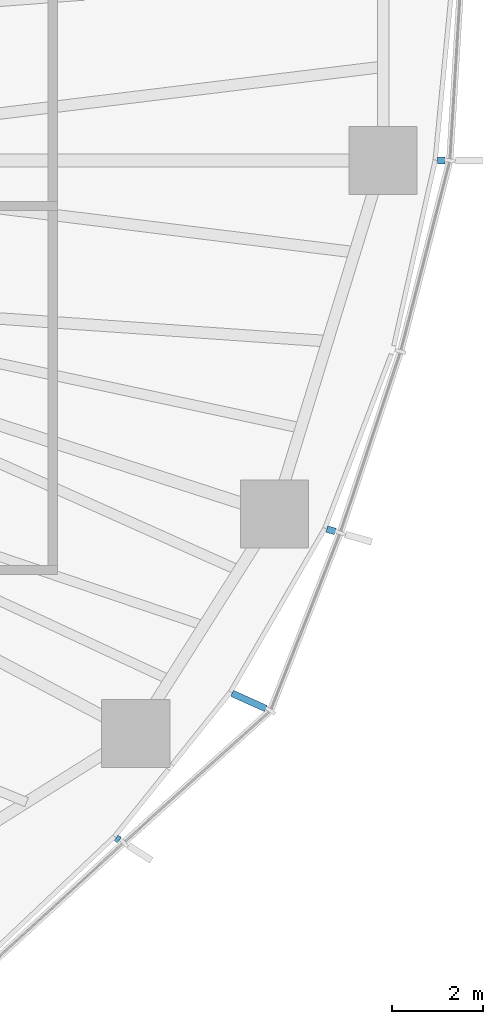
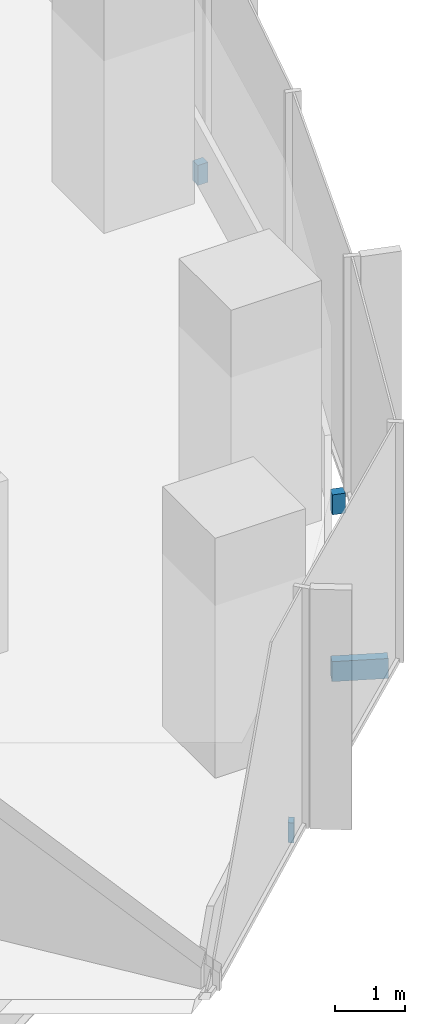
# One storey, part 14 of 18: 4 discrete accessories.
"""IFC4 building model written with IfcOpenShell, lengths in metres."""

from ifc_helpers import new_model, si_unit, direction, frame, origin, origin_2d, place, context, subcontext, project, spatial, rectangle, extrude, material, type_object, element, save


model = new_model("IFC4")

# Units and contexts
model_context = context("Model", 3, precision=1e-05, world=origin(), true_north=direction((0.0, 1.0)))
body_context = subcontext(model_context, "Body", "Model", "MODEL_VIEW")
ifc_project = project(units=[si_unit("LENGTHUNIT", "METRE"), si_unit("AREAUNIT", "SQUARE_METRE"), si_unit("VOLUMEUNIT", "CUBIC_METRE"), si_unit("PLANEANGLEUNIT", "RADIAN"), si_unit("MASSUNIT", "GRAM", prefix="KILO")], contexts=[model_context])

# Site, building, storey
site_placement = place(None, origin())
site = spatial("IfcSite", under=ifc_project, at=site_placement, CompositionType="ELEMENT")
building_placement = place(site_placement, origin())
building = spatial("IfcBuilding", under=site, at=building_placement, Name="Ghaith Harvest Tower", CompositionType="ELEMENT")
storey_placement = place(building_placement, frame((0.0, 0.0, 134.39990234375)))
storey = spatial("IfcBuildingStorey", under=building, at=storey_placement, Name="L28", CompositionType="ELEMENT", Elevation=134.39990234375)

# Discrete accessories
ifc_material_1 = material(Name="Stainless steel grade 1.4401", Category="steel")
discrete_accessory_type_1 = type_object("IfcDiscreteAccessoryType", Name="CURTAIN WALL BRACKET 165", PredefinedType="BRACKET", material=ifc_material_1)
discrete_accessory_1_placement = place(storey_placement, frame((30.5361328125, 0.0, -0.25), z_axis=(0.0, 0.0, 1.0), x_axis=(1.0, 0.0, 0.0)))
element("IfcDiscreteAccessory", 1, at=discrete_accessory_1_placement, inside=storey, type_object=discrete_accessory_type_1, Name="CW-L bracket 1 bay 01 L28", PredefinedType="BRACKET", context=body_context, shape_type="SweptSolid", body=[
    extrude(rectangle(XDim=0.1650390625, YDim=0.14990234375, at=origin_2d()), origin(), (0.0, 0.0, 1.0), 0.35009765625),
])
ifc_material_2 = material(Name="Stainless steel grade 1.4401", Category="steel")
discrete_accessory_type_2 = type_object("IfcDiscreteAccessoryType", Name="CURTAIN WALL BRACKET 195", PredefinedType="BRACKET", material=ifc_material_2)
discrete_accessory_2_placement = place(storey_placement, frame((28.1201171875, -8.127197265625, -0.25), z_axis=(0.0, 0.0, 1.0), x_axis=(0.960680349932, -0.277656739976, 0.0)))
element("IfcDiscreteAccessory", 2, at=discrete_accessory_2_placement, inside=storey, type_object=discrete_accessory_type_2, Name="CW-L bracket 1 bay 20 L28", PredefinedType="BRACKET", context=body_context, shape_type="SweptSolid", body=[
    extrude(rectangle(XDim=0.195068359375, YDim=0.14990234375, at=origin_2d()), origin(), (0.0, 0.0, 1.0), 0.35009765625),
])
ifc_material_3 = material(Name="Stainless steel grade 1.4401", Category="steel")
discrete_accessory_type_3 = type_object("IfcDiscreteAccessoryType", Name="CURTAIN WALL BRACKET 815", PredefinedType="BRACKET", material=ifc_material_3)
discrete_accessory_3_placement = place(storey_placement, frame((26.314697265625, -11.879638671875, -0.25), z_axis=(0.0, 0.0, 1.0), x_axis=(0.911426750831, -0.41146236507, 0.0)))
element("IfcDiscreteAccessory", 3, at=discrete_accessory_3_placement, inside=storey, type_object=discrete_accessory_type_3, Name="CW-L bracket 2 bay 19 L28", PredefinedType="BRACKET", context=body_context, shape_type="SweptSolid", body=[
    extrude(rectangle(XDim=0.81494140625, YDim=0.14990234375, at=origin_2d()), origin(), (0.0, 0.0, 1.0), 0.35009765625),
])
ifc_material_4 = material(Name="Stainless steel grade 1.4401", Category="steel")
discrete_accessory_type_4 = type_object("IfcDiscreteAccessoryType", Name="CURTAIN WALL BRACKET 85", PredefinedType="BRACKET", material=ifc_material_4)
discrete_accessory_4_placement = place(storey_placement, frame((23.431884765625, -14.912353515625, -0.25), z_axis=(0.0, 0.0, 1.0), x_axis=(0.84364397137, -0.536903016913, 0.0)))
element("IfcDiscreteAccessory", 4, at=discrete_accessory_4_placement, inside=storey, type_object=discrete_accessory_type_4, Name="CW-L bracket 1 bay 19 L28", PredefinedType="BRACKET", context=body_context, shape_type="SweptSolid", body=[
    extrude(rectangle(XDim=0.0849609375, YDim=0.14990234375, at=origin_2d()), origin(), (0.0, 0.0, 1.0), 0.35009765625),
])

save(model, "model.ifc")
